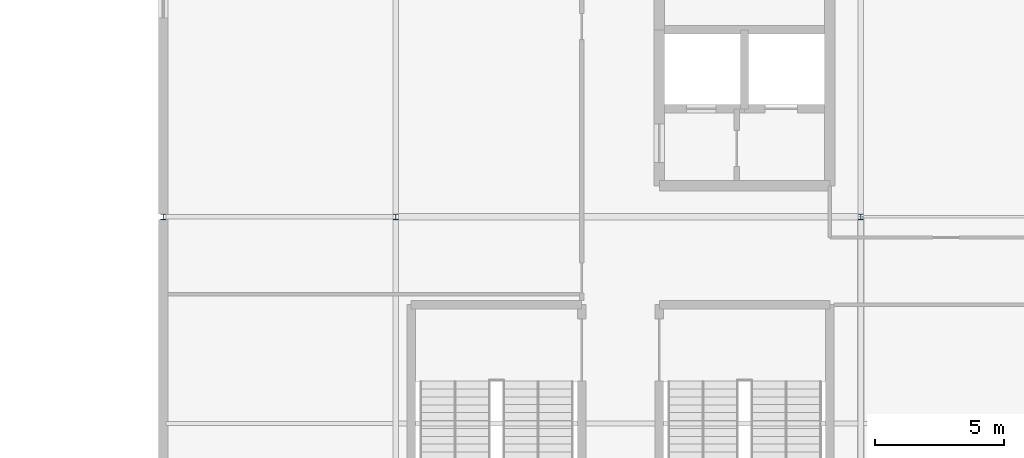
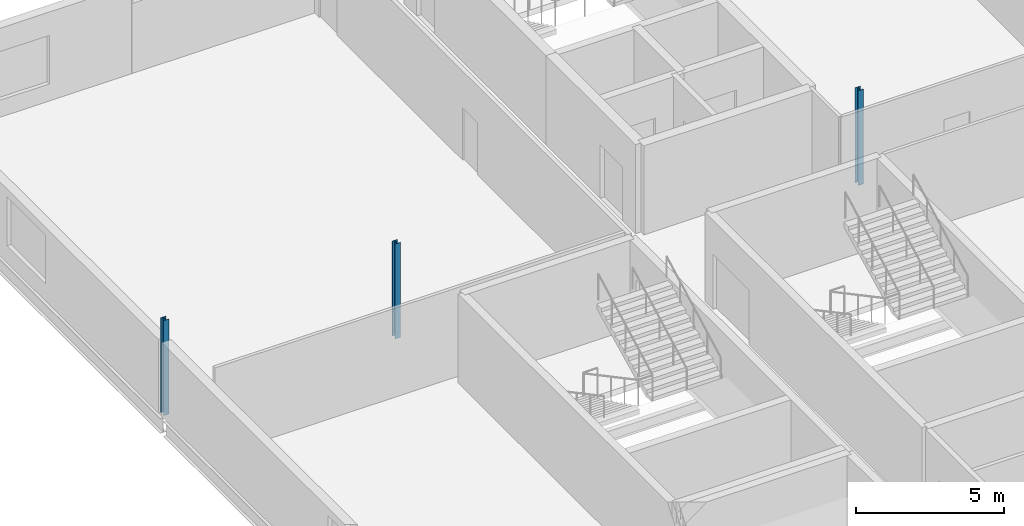
# One storey, part 14 of 35: 3 columns.
"""IFC4 building model written with IfcOpenShell, lengths in metres."""

from ifc_helpers import new_model, si_unit, direction, frame, origin, origin_2d, place, context, subcontext, project, spatial, i_section, extrude, material, material_profile, profile_set, type_object, element, save


model = new_model("IFC4")

# Units and contexts
model_context = context("Model", 3, precision=1e-05, world=origin(), true_north=direction((0.0, 1.0)))
body_context = subcontext(model_context, "Body", "Model", "MODEL_VIEW")
ifc_project = project(units=[si_unit("LENGTHUNIT", "METRE"), si_unit("AREAUNIT", "SQUARE_METRE"), si_unit("VOLUMEUNIT", "CUBIC_METRE"), si_unit("PLANEANGLEUNIT", "RADIAN"), si_unit("MASSUNIT", "GRAM", prefix="KILO")], contexts=[model_context])

# Site, building, storey
site_placement = place(None, origin())
site = spatial("IfcSite", under=ifc_project, at=site_placement, CompositionType="ELEMENT")
building_placement = place(site_placement, origin())
building = spatial("IfcBuilding", under=site, at=building_placement, Name="Kisiwana Market Hall", CompositionType="ELEMENT")
storey_placement = place(building_placement, frame((0.0, 0.0, 61.800048828125)))
storey = spatial("IfcBuildingStorey", under=building, at=storey_placement, Name="L14", CompositionType="ELEMENT", Elevation=61.800048828125)

# Columns
ifc_material = material(Name="Steel S355", Category="steel")
ifc_material_profile = material_profile(ifc_material, i_section(OverallWidth=0.205810546875, OverallDepth=0.209716796875, WebThickness=0.009521484375, FlangeThickness=0.01416015625, FilletRadius=0.01025390625, at=origin_2d()), Name="UC 203x203x60")
ifc_profile_set = profile_set([ifc_material_profile], Name="Steel S355")
column_type = type_object("IfcColumnType", Name="COL-STL-UC060", PredefinedType="COLUMN", material=ifc_profile_set)
for number, where, z_axis, x_axis, name in (
    (1, (162.0, 84.0, 0.0), (0.0, 0.0, 1.0), (1.0, 0.0, 0.0), "Column L/19 (L14) C-1462"),
    (2, (171.0, 84.0, 0.0), (0.0, 0.0, 1.0), (1.0, 0.0, 0.0), "Column L/20 (L14) C-1467"),
    (3, (189.0, 84.0, 0.0), (0.0, 0.0, 1.0), (1.0, 0.0, 0.0), "Column L/22 (L14) C-1471"),
):
    element("IfcColumn", number, at=place(storey_placement, frame(where, z_axis=z_axis, x_axis=x_axis)), inside=storey, type_object=column_type, Name=name, PredefinedType="COLUMN", context=body_context, shape_type="SweptSolid", body=[
        extrude(i_section(OverallWidth=0.205810546875, OverallDepth=0.209716796875, WebThickness=0.009521484375, FlangeThickness=0.01416015625, FilletRadius=0.01025390625, at=origin_2d()), origin(), (0.0, 0.0, 1.0), 3.89990234375),
    ])

save(model, "model.ifc")
